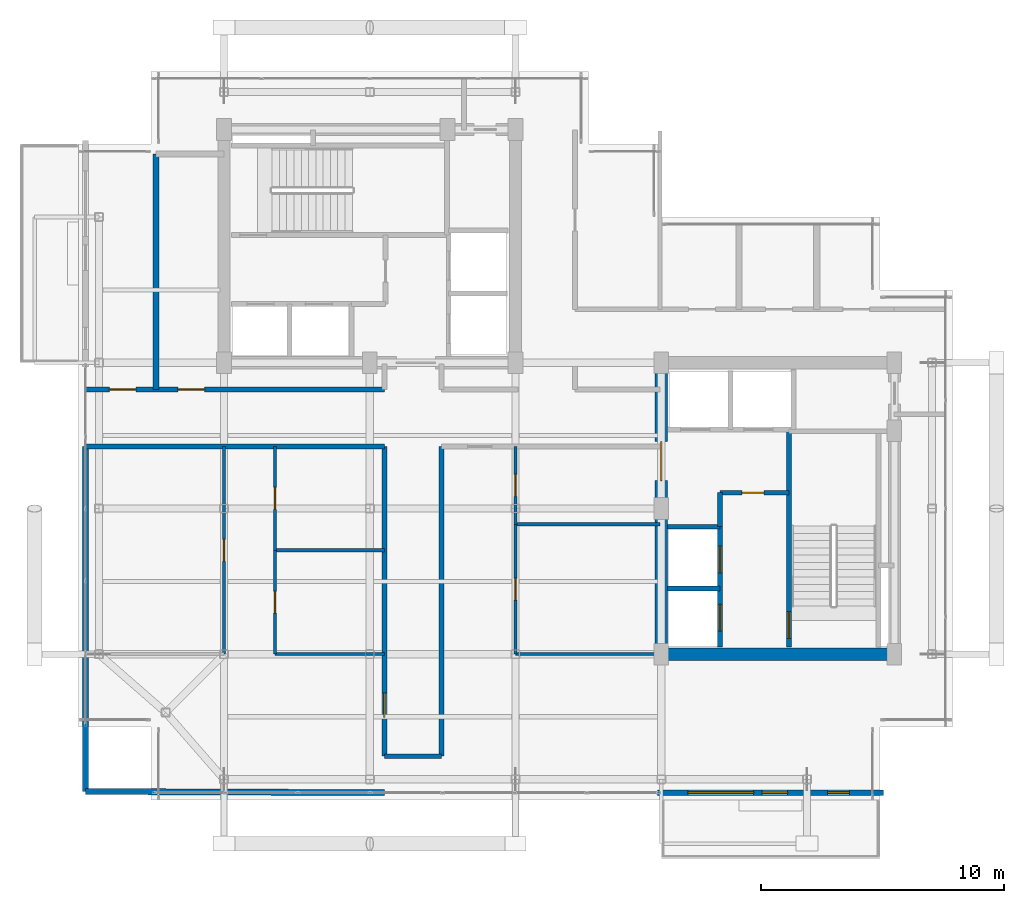
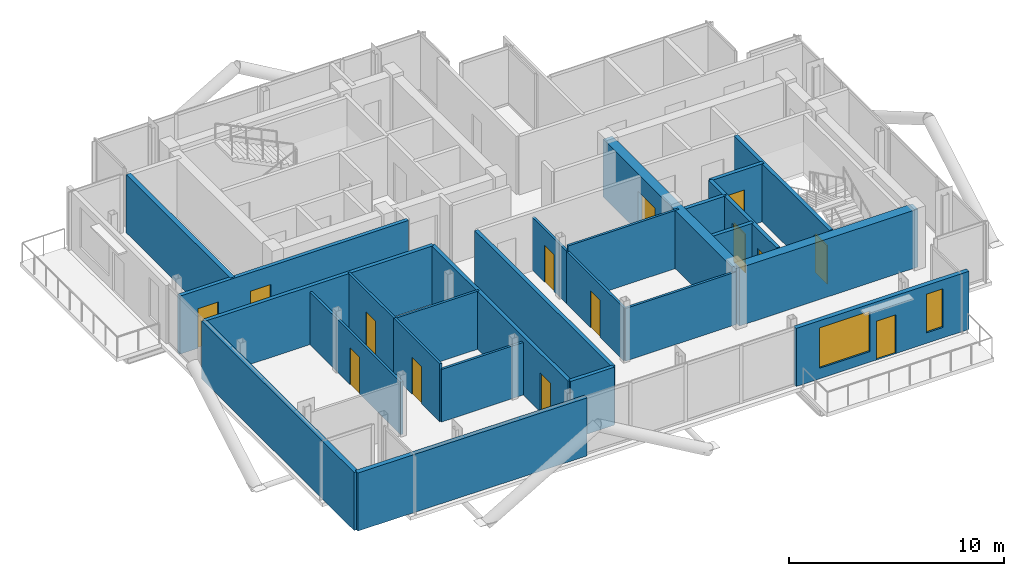
# One storey, part 15 of 19: 26 walls, 14 doors, 2 windows, 16 openings.
"""IFC4 building model written with IfcOpenShell, lengths in metres."""

from ifc_helpers import new_model, si_unit, direction, frame, frame_2d, origin, place, context, subcontext, project, spatial, rectangle, extrude, material, layer, layer_set, type_object, element, fill, save


model = new_model("IFC4")

# Units and contexts
model_context = context("Model", 3, precision=1e-05, world=origin(), true_north=direction((0.0, 1.0)))
body_context = subcontext(model_context, "Body", "Model", "MODEL_VIEW")
ifc_project = project(units=[si_unit("LENGTHUNIT", "METRE"), si_unit("AREAUNIT", "SQUARE_METRE"), si_unit("VOLUMEUNIT", "CUBIC_METRE"), si_unit("PLANEANGLEUNIT", "RADIAN"), si_unit("MASSUNIT", "GRAM", prefix="KILO"), si_unit("THERMODYNAMICTEMPERATUREUNIT", "KELVIN"), si_unit("POWERUNIT", "WATT")], contexts=[model_context])

# Site, building, storey
site_placement = place(None, origin())
site = spatial("IfcSite", under=ifc_project, at=site_placement, CompositionType="ELEMENT")
building_placement = place(site_placement, origin())
building = spatial("IfcBuilding", under=site, at=building_placement, Name="Svarakhadi Broadcast Tower", CompositionType="ELEMENT")
storey_placement = place(building_placement, frame((0.0, 0.0, 243.199951171875)))
storey = spatial("IfcBuildingStorey", under=building, at=storey_placement, Name="L60", CompositionType="ELEMENT", Elevation=243.199951171875)

# Wall, opening, door
ifc_material_1 = material(Name="Double-Stud Acoustic Studio Partition STC-62", Category="gypsum")
ifc_layer_1 = layer(ifc_material_1, 0.199951171875)
ifc_layer_set_1 = layer_set([ifc_layer_1], Name="Double-Stud Acoustic Studio Partition STC-62")
wall_type_1 = type_object("IfcWallType", Name="Wall_Acoust_200", PredefinedType="PARTITIONING", material=ifc_layer_set_1)
wall_1_placement = place(storey_placement, frame((12.60009765625, 1.800048828125, 0.0), z_axis=(0.0, 0.0, 1.0), x_axis=(0.0, 1.0, 0.0)))
wall_1 = element("IfcWall", 1, at=wall_1_placement, inside=storey, type_object=wall_type_1, Name="L60 Upper Tower Concourse Wall", PredefinedType="PARTITIONING", context=body_context, shape_type="SweptSolid", body=[
    extrude(rectangle(XDim=12.75, YDim=0.199951171875, at=frame_2d((6.375, 0.0))), origin(), (0.0, 0.0, 1.0), 3.300048828125),
])
opening_1_placement = place(wall_1_placement, frame((1.60009765625, 0.0, 0.0)))
opening_1 = element("IfcOpeningElement", 2, at=opening_1_placement, cuts=wall_1, Name="Opening D-09", PredefinedType="OPENING", context=body_context, shape_type="SweptSolid", body=[
    extrude(rectangle(XDim=1.0, YDim=2.199951171875, at=frame_2d((0.5, 1.10009765625))), frame((0.0, 0.10986328125, 0.0), z_axis=(0.0, -1.0, 0.0), x_axis=(1.0, 0.0, 0.0)), (0.0, 0.0, 1.0), 0.219970703125),
])
ifc_material_2 = material(Name="Solid-Core Teak Veneer Acoustic Timber Leaf", Category="wood")
door_type_1 = type_object("IfcDoorType", Name="Door_Suite_D09", OperationType="SINGLE_SWING_RIGHT", PredefinedType="DOOR", material=ifc_material_2)
door_1_placement = place(opening_1_placement, origin())
door_1 = element("IfcDoor", 3, at=door_1_placement, inside=storey, type_object=door_type_1, Name="L60 Apartment A Entrance Door", OperationType="SINGLE_SWING_RIGHT", OverallHeight=2.199951171875, OverallWidth=1.0, PredefinedType="DOOR", context=body_context, shape_type="SweptSolid", body=[
    extrude(rectangle(XDim=1.0, YDim=2.199951171875, at=frame_2d((0.5, 1.10009765625))), frame((0.0, 0.02490234375, 0.0), z_axis=(0.0, -1.0, 0.0), x_axis=(1.0, 0.0, 0.0)), (0.0, 0.0, 1.0), 0.050048828125),
])
fill(opening_1, door_1)

# Wall
wall_2_placement = place(storey_placement, frame((12.60009765625, 14.550048828125, 0.0), z_axis=(0.0, 0.0, 1.0), x_axis=(-1.0, 0.0, 0.0)))
element("IfcWall", 4, at=wall_2_placement, inside=storey, type_object=wall_type_1, Name="L60 Upper Tower Concourse Wall", PredefinedType="PARTITIONING", context=body_context, shape_type="SweptSolid", body=[
    extrude(rectangle(XDim=12.300048828125, YDim=0.199951171875, at=frame_2d((6.14990234375, 0.0))), origin(), (0.0, 0.0, 1.0), 3.300048828125),
])

# Wall, openings, doors
wall_3_placement = place(storey_placement, frame((0.300048828125, 16.89990234375, 0.0), z_axis=(0.0, 0.0, 1.0), x_axis=(1.0, 0.0, 0.0)))
wall_3 = element("IfcWall", 5, at=wall_3_placement, inside=storey, type_object=wall_type_1, Name="L60 Upper Tower Concourse Wall", PredefinedType="PARTITIONING", context=body_context, shape_type="SweptSolid", body=[
    extrude(rectangle(XDim=12.300048828125, YDim=0.199951171875, at=frame_2d((6.14990234375, 0.0))), origin(), (0.0, 0.0, 1.0), 3.300048828125),
])
opening_2_placement = place(wall_3_placement, frame((0.97509765625, 0.0, 0.0)))
opening_2 = element("IfcOpeningElement", 6, at=opening_2_placement, cuts=wall_3, Name="Opening D-11", PredefinedType="OPENING", context=body_context, shape_type="SweptSolid", body=[
    extrude(rectangle(XDim=1.10009765625, YDim=2.25, at=frame_2d((0.550048828125, 1.125))), frame((0.0, 0.10986328125, 0.0), z_axis=(0.0, -1.0, 0.0), x_axis=(1.0, 0.0, 0.0)), (0.0, 0.0, 1.0), 0.219970703125),
])
opening_3_placement = place(wall_3_placement, frame((3.800048828125, 0.0, 0.0)))
opening_3 = element("IfcOpeningElement", 7, at=opening_3_placement, cuts=wall_3, Name="Opening D-10", PredefinedType="OPENING", context=body_context, shape_type="SweptSolid", body=[
    extrude(rectangle(XDim=1.10009765625, YDim=2.25, at=frame_2d((0.550048828125, 1.125))), frame((0.0, 0.10986328125, 0.0), z_axis=(0.0, -1.0, 0.0), x_axis=(1.0, 0.0, 0.0)), (0.0, 0.0, 1.0), 0.219970703125),
])
door_type_2 = type_object("IfcDoorType", Name="Door_Acoust_D10", OperationType="SINGLE_SWING_LEFT", PredefinedType="DOOR", material=ifc_material_2)
door_2_placement = place(opening_3_placement, origin())
door_2 = element("IfcDoor", 8, at=door_2_placement, inside=storey, type_object=door_type_2, Name="L60 Residents Study Office Door", OperationType="SINGLE_SWING_LEFT", OverallHeight=2.25, OverallWidth=1.10009765625, PredefinedType="DOOR", context=body_context, shape_type="SweptSolid", body=[
    extrude(rectangle(XDim=1.10009765625, YDim=2.25, at=frame_2d((0.550048828125, 1.125))), frame((0.0, 0.02490234375, 0.0), z_axis=(0.0, -1.0, 0.0), x_axis=(1.0, 0.0, 0.0)), (0.0, 0.0, 1.0), 0.050048828125),
])
fill(opening_3, door_2)
door_type_3 = type_object("IfcDoorType", Name="Door_Acoust_D11", OperationType="SINGLE_SWING_RIGHT", PredefinedType="DOOR", material=ifc_material_2)
door_3_placement = place(opening_2_placement, origin())
door_3 = element("IfcDoor", 9, at=door_3_placement, inside=storey, type_object=door_type_3, Name="L60 Setback Garden Residents Lounge Door", OperationType="SINGLE_SWING_RIGHT", OverallHeight=2.25, OverallWidth=1.10009765625, PredefinedType="DOOR", context=body_context, shape_type="SweptSolid", body=[
    extrude(rectangle(XDim=1.10009765625, YDim=2.25, at=frame_2d((0.550048828125, 1.125))), frame((0.0, 0.02490234375, 0.0), z_axis=(0.0, -1.0, 0.0), x_axis=(1.0, 0.0, 0.0)), (0.0, 0.0, 1.0), 0.050048828125),
])
fill(opening_2, door_3)

# Walls
wall_4_placement = place(storey_placement, frame((14.949951171875, 14.550048828125, 0.0), z_axis=(0.0, 0.0, 1.0), x_axis=(0.0, -1.0, 0.0)))
element("IfcWall", 10, at=wall_4_placement, inside=storey, type_object=wall_type_1, Name="L60 Upper Tower Concourse Wall", PredefinedType="PARTITIONING", context=body_context, shape_type="SweptSolid", body=[
    extrude(rectangle(XDim=12.75, YDim=0.199951171875, at=frame_2d((6.375, 0.0))), origin(), (0.0, 0.0, 1.0), 3.300048828125),
])
wall_5_placement = place(storey_placement, frame((14.949951171875, 1.800048828125, 0.0), z_axis=(0.0, 0.0, 1.0), x_axis=(-1.0, 0.0, 0.0)))
element("IfcWall", 11, at=wall_5_placement, inside=storey, type_object=wall_type_1, Name="L60 Upper Tower Concourse Wall", PredefinedType="PARTITIONING", context=body_context, shape_type="SweptSolid", body=[
    extrude(rectangle(XDim=2.349853515625, YDim=0.199951171875, at=frame_2d((1.1748046875, 0.0))), origin(), (0.0, 0.0, 1.0), 3.300048828125),
])
ifc_layer_2 = layer(ifc_material_1, 0.25)
ifc_layer_set_2 = layer_set([ifc_layer_2], Name="Double-Stud Acoustic Studio Partition STC-62")
wall_type_2 = type_object("IfcWallType", Name="Wall_Acoust_250", PredefinedType="PARTITIONING", material=ifc_layer_set_2)
wall_6_placement = place(storey_placement, frame((0.300048828125, 0.35009765625, 0.0), z_axis=(0.0, 0.0, 1.0), x_axis=(0.999991721746, -0.00406896058, 0.0)))
element("IfcWall", 12, at=wall_6_placement, inside=storey, type_object=wall_type_2, Name="L60 Apartment A Wall", PredefinedType="PARTITIONING", context=body_context, shape_type="SweptSolid", body=[
    extrude(rectangle(XDim=12.300048828125, YDim=0.25, at=frame_2d((6.14990234375, 0.0))), origin(), (0.0, 0.0, 1.0), 3.300048828125),
])
wall_7_placement = place(storey_placement, frame((0.300048828125, 0.35009765625, 0.0), z_axis=(0.0, 0.0, 1.0), x_axis=(0.0, 1.0, 0.0)))
element("IfcWall", 13, at=wall_7_placement, inside=storey, type_object=wall_type_2, Name="L60 Apartment A Wall", PredefinedType="PARTITIONING", context=body_context, shape_type="SweptSolid", body=[
    extrude(rectangle(XDim=14.199951171875, YDim=0.25, at=frame_2d((7.10009765625, 0.0))), origin(), (0.0, 0.0, 1.0), 3.300048828125),
])
wall_8_placement = place(storey_placement, frame((3.199951171875, 16.89990234375, 0.0), z_axis=(0.0, 0.0, 1.0), x_axis=(0.0, 1.0, 0.0)))
element("IfcWall", 14, at=wall_8_placement, inside=storey, type_object=wall_type_2, Name="L60 Setback Garden Residents Lounge Wall", PredefinedType="PARTITIONING", context=body_context, shape_type="SweptSolid", body=[
    extrude(rectangle(XDim=9.7001953125, YDim=0.25, at=frame_2d((4.85009765625, 0.0))), origin(), (0.0, 0.0, 1.0), 3.300048828125),
])

# Wall, openings, door, windows
ifc_material_3 = material(Name="Concrete C40/50 (IS 456 M50)", Category="concrete")
ifc_layer_3 = layer(ifc_material_3, 0.239990234375)
ifc_layer_set_3 = layer_set([ifc_layer_3], Name="Concrete C40/50 (IS 456 M50)")
wall_type_3 = type_object("IfcWallType", Name="Wall_Ext_240", PredefinedType="SOLIDWALL", material=ifc_layer_set_3)
wall_9_placement = place(storey_placement, frame((33.14501953125, 0.300048828125, 0.0), z_axis=(0.0, 0.0, 1.0), x_axis=(-1.0, 0.0, 0.0)))
wall_9 = element("IfcWall", 15, at=wall_9_placement, inside=storey, type_object=wall_type_3, Name="L60 South Tree Balcony Spandrel Wall", PredefinedType="SOLIDWALL", context=body_context, shape_type="SweptSolid", body=[
    extrude(rectangle(XDim=9.2900390625, YDim=0.239990234375, at=frame_2d((4.64501953125, 0.0))), origin(), (0.0, 0.0, 1.0), 3.300048828125),
])
opening_4_placement = place(wall_9_placement, frame((3.945068359375, 0.0, 0.0)))
opening_4 = element("IfcOpeningElement", 16, at=opening_4_placement, cuts=wall_9, Name="Opening ED-06", PredefinedType="OPENING", context=body_context, shape_type="SweptSolid", body=[
    extrude(rectangle(XDim=1.050048828125, YDim=2.199951171875, at=frame_2d((0.52490234375, 1.10009765625))), frame((0.0, 0.1298828125, 0.0), z_axis=(0.0, -1.0, 0.0), x_axis=(1.0, 0.0, 0.0)), (0.0, 0.0, 1.0), 0.260009765625),
])
opening_5_placement = place(wall_9_placement, frame((5.344970703125, 0.0, 0.60009765625)))
opening_5 = element("IfcOpeningElement", 17, at=opening_5_placement, cuts=wall_9, Name="Opening WN-07", PredefinedType="OPENING", context=body_context, shape_type="SweptSolid", body=[
    extrude(rectangle(XDim=2.699951171875, YDim=2.300048828125, at=frame_2d((1.35009765625, 1.14990234375))), frame((0.0, 0.1298828125, 0.0), z_axis=(0.0, -1.0, 0.0), x_axis=(1.0, 0.0, 0.0)), (0.0, 0.0, 1.0), 0.260009765625),
])
opening_6_placement = place(wall_9_placement, frame((1.39990234375, 0.0, 0.60009765625)))
opening_6 = element("IfcOpeningElement", 18, at=opening_6_placement, cuts=wall_9, Name="Opening WN-04", PredefinedType="OPENING", context=body_context, shape_type="SweptSolid", body=[
    extrude(rectangle(XDim=0.89990234375, YDim=2.199951171875, at=frame_2d((0.449951171875, 1.10009765625))), frame((0.0, 0.1298828125, 0.0), z_axis=(0.0, -1.0, 0.0), x_axis=(1.0, 0.0, 0.0)), (0.0, 0.0, 1.0), 0.260009765625),
])
ifc_material_4 = material(Name="Anodised Bronze Aluminium AA 6063-T6", Category="aluminium")
door_type_4 = type_object("IfcDoorType", Name="Door_Ext_ED06", OperationType="SINGLE_SWING_RIGHT", PredefinedType="DOOR", material=ifc_material_4)
door_4_placement = place(opening_4_placement, origin())
door_4 = element("IfcDoor", 19, at=door_4_placement, inside=storey, type_object=door_type_4, Name="L60 South Tree Balcony Door", OperationType="SINGLE_SWING_RIGHT", OverallHeight=2.199951171875, OverallWidth=1.050048828125, PredefinedType="DOOR", context=body_context, shape_type="SweptSolid", body=[
    extrude(rectangle(XDim=1.050048828125, YDim=2.199951171875, at=frame_2d((0.52490234375, 1.10009765625))), frame((0.0, 0.02490234375, 0.0), z_axis=(0.0, -1.0, 0.0), x_axis=(1.0, 0.0, 0.0)), (0.0, 0.0, 1.0), 0.050048828125),
])
fill(opening_4, door_4)
ifc_material_5 = material(Name="Double Low-E Laminated Acoustic Glass IGU 36 mm", Category="glass")
window_type_1 = type_object("IfcWindowType", Name="Win_Resi_WN07", PartitioningType="SINGLE_PANEL", PredefinedType="WINDOW", material=ifc_material_5)
window_1_placement = place(opening_5_placement, origin())
window_1 = element("IfcWindow", 20, at=window_1_placement, inside=storey, type_object=window_type_1, Name="L60 South Tree Balcony Window", OverallHeight=2.300048828125, OverallWidth=2.699951171875, PartitioningType="SINGLE_PANEL", PredefinedType="WINDOW", context=body_context, shape_type="SweptSolid", body=[
    extrude(rectangle(XDim=2.699951171875, YDim=2.300048828125, at=frame_2d((1.35009765625, 1.14990234375))), frame((0.0, 0.030029296875, 0.0), z_axis=(0.0, -1.0, 0.0), x_axis=(1.0, 0.0, 0.0)), (0.0, 0.0, 1.0), 0.06005859375),
])
fill(opening_5, window_1)
window_type_2 = type_object("IfcWindowType", Name="Win_Slot_WN04", PartitioningType="SINGLE_PANEL", PredefinedType="WINDOW", material=ifc_material_5)
window_2_placement = place(opening_6_placement, origin())
window_2 = element("IfcWindow", 21, at=window_2_placement, inside=storey, type_object=window_type_2, Name="L60 South Primary Bedroom Slot Window", OverallHeight=2.199951171875, OverallWidth=0.89990234375, PartitioningType="SINGLE_PANEL", PredefinedType="WINDOW", context=body_context, shape_type="SweptSolid", body=[
    extrude(rectangle(XDim=0.89990234375, YDim=2.199951171875, at=frame_2d((0.449951171875, 1.10009765625))), frame((0.0, 0.030029296875, 0.0), z_axis=(0.0, -1.0, 0.0), x_axis=(1.0, 0.0, 0.0)), (0.0, 0.0, 1.0), 0.06005859375),
])
fill(opening_6, window_2)

# Walls
ifc_material_6 = material(Name="Fire-Rated Moisture-Resistant Gypsum Board Partition", Category="gypsum")
ifc_layer_4 = layer(ifc_material_6, 0.125)
ifc_layer_set_4 = layer_set([ifc_layer_4], Name="Fire-Rated Moisture-Resistant Gypsum Board Partition")
wall_type_4 = type_object("IfcWallType", Name="Wall_Part_125", PredefinedType="PARTITIONING", material=ifc_layer_set_4)
wall_10_placement = place(storey_placement, frame((8.10009765625, 6.0, 0.0), z_axis=(0.0, 0.0, 1.0), x_axis=(1.0, 0.0, 0.0)))
element("IfcWall", 22, at=wall_10_placement, inside=storey, type_object=wall_type_4, Name="L60 Apartment A Kitchen Wall", PredefinedType="PARTITIONING", context=body_context, shape_type="SweptSolid", body=[
    extrude(rectangle(XDim=4.5, YDim=0.125, at=frame_2d((2.25, 0.0))), origin(), (0.0, 0.0, 1.0), 2.991943359375),
])
wall_11_placement = place(storey_placement, frame((8.10009765625, 10.280029296875, 0.0), z_axis=(0.0, 0.0, 1.0), x_axis=(1.0, 0.0, 0.0)))
element("IfcWall", 23, at=wall_11_placement, inside=storey, type_object=wall_type_4, Name="L60 Apartment A Kitchen Wall", PredefinedType="PARTITIONING", context=body_context, shape_type="SweptSolid", body=[
    extrude(rectangle(XDim=4.5, YDim=0.125, at=frame_2d((2.25, 0.0))), origin(), (0.0, 0.0, 1.0), 3.300048828125),
])

# Wall, opening, door
wall_12_placement = place(storey_placement, frame((8.10009765625, 6.0, 0.0), z_axis=(0.0, 0.0, 1.0), x_axis=(0.0, 1.0, 0.0)))
wall_12 = element("IfcWall", 24, at=wall_12_placement, inside=storey, type_object=wall_type_4, Name="L60 Apartment A Kitchen Wall", PredefinedType="PARTITIONING", context=body_context, shape_type="SweptSolid", body=[
    extrude(rectangle(XDim=4.280029296875, YDim=0.125, at=frame_2d((2.14013671875, 0.0))), origin(), (0.0, 0.0, 1.0), 3.300048828125),
])
opening_7_placement = place(wall_12_placement, frame((1.68994140625, 0.0, 0.0)))
opening_7 = element("IfcOpeningElement", 25, at=opening_7_placement, cuts=wall_12, Name="Opening D-15", PredefinedType="OPENING", context=body_context, shape_type="SweptSolid", body=[
    extrude(rectangle(XDim=0.89990234375, YDim=2.10009765625, at=frame_2d((0.449951171875, 1.050048828125))), frame((0.0, 0.072509765625, 0.0), z_axis=(0.0, -1.0, 0.0), x_axis=(1.0, 0.0, 0.0)), (0.0, 0.0, 1.0), 0.14501953125),
])
door_type_5 = type_object("IfcDoorType", Name="Door_Int_D15", OperationType="SINGLE_SWING_RIGHT", PredefinedType="DOOR", material=ifc_material_2)
door_5_placement = place(opening_7_placement, origin())
door_5 = element("IfcDoor", 26, at=door_5_placement, inside=storey, type_object=door_type_5, Name="L60 Apartment A Kitchen Door", OperationType="SINGLE_SWING_RIGHT", OverallHeight=2.10009765625, OverallWidth=0.89990234375, PredefinedType="DOOR", context=body_context, shape_type="SweptSolid", body=[
    extrude(rectangle(XDim=0.89990234375, YDim=2.10009765625, at=frame_2d((0.449951171875, 1.050048828125))), frame((0.0, 0.02490234375, 0.0), z_axis=(0.0, -1.0, 0.0), x_axis=(1.0, 0.0, 0.0)), (0.0, 0.0, 1.0), 0.050048828125),
])
fill(opening_7, door_5)

wall_13_placement = place(storey_placement, frame((8.10009765625, 10.280029296875, 0.0), z_axis=(0.0, 0.0, 1.0), x_axis=(0.0, 1.0, 0.0)))
wall_13 = element("IfcWall", 27, at=wall_13_placement, inside=storey, type_object=wall_type_4, Name="L60 Apartment A Bathroom Wall", PredefinedType="PARTITIONING", context=body_context, shape_type="SweptSolid", body=[
    extrude(rectangle(XDim=4.27001953125, YDim=0.125, at=frame_2d((2.135009765625, 0.0))), origin(), (0.0, 0.0, 1.0), 3.300048828125),
])
opening_8_placement = place(wall_13_placement, frame((1.68505859375, 0.0, 0.0)))
opening_8 = element("IfcOpeningElement", 28, at=opening_8_placement, cuts=wall_13, Name="Opening D-12", PredefinedType="OPENING", context=body_context, shape_type="SweptSolid", body=[
    extrude(rectangle(XDim=0.89990234375, YDim=2.10009765625, at=frame_2d((0.449951171875, 1.050048828125))), frame((0.0, 0.072509765625, 0.0), z_axis=(0.0, -1.0, 0.0), x_axis=(1.0, 0.0, 0.0)), (0.0, 0.0, 1.0), 0.14501953125),
])
door_type_6 = type_object("IfcDoorType", Name="Door_WC_D01", OperationType="SINGLE_SWING_LEFT", PredefinedType="DOOR", material=ifc_material_2)
door_6_placement = place(opening_8_placement, origin())
door_6 = element("IfcDoor", 29, at=door_6_placement, inside=storey, type_object=door_type_6, Name="L60 Apartment A Bathroom Door", OperationType="SINGLE_SWING_LEFT", OverallHeight=2.10009765625, OverallWidth=0.89990234375, PredefinedType="DOOR", context=body_context, shape_type="SweptSolid", body=[
    extrude(rectangle(XDim=0.89990234375, YDim=2.10009765625, at=frame_2d((0.449951171875, 1.050048828125))), frame((0.0, 0.02490234375, 0.0), z_axis=(0.0, -1.0, 0.0), x_axis=(1.0, 0.0, 0.0)), (0.0, 0.0, 1.0), 0.050048828125),
])
fill(opening_8, door_6)

wall_14_placement = place(storey_placement, frame((6.0, 6.0, 0.0), z_axis=(0.0, 0.0, 1.0), x_axis=(0.0, 1.0, 0.0)))
wall_14 = element("IfcWall", 30, at=wall_14_placement, inside=storey, type_object=wall_type_4, Name="L60 Apartment A Primary Bedroom Wall", PredefinedType="PARTITIONING", context=body_context, shape_type="SweptSolid", body=[
    extrude(rectangle(XDim=8.550048828125, YDim=0.125, at=frame_2d((4.27490234375, 0.0))), origin(), (0.0, 0.0, 1.0), 2.991943359375),
])
opening_9_placement = place(wall_14_placement, frame((3.824951171875, 0.0, 0.0)))
opening_9 = element("IfcOpeningElement", 31, at=opening_9_placement, cuts=wall_14, Name="Opening D-14", PredefinedType="OPENING", context=body_context, shape_type="SweptSolid", body=[
    extrude(rectangle(XDim=0.89990234375, YDim=2.10009765625, at=frame_2d((0.449951171875, 1.050048828125))), frame((0.0, 0.072509765625, 0.0), z_axis=(0.0, -1.0, 0.0), x_axis=(1.0, 0.0, 0.0)), (0.0, 0.0, 1.0), 0.14501953125),
])
door_type_7 = type_object("IfcDoorType", Name="Door_Int_D14", OperationType="SINGLE_SWING_LEFT", PredefinedType="DOOR", material=ifc_material_2)
door_7_placement = place(opening_9_placement, origin())
door_7 = element("IfcDoor", 32, at=door_7_placement, inside=storey, type_object=door_type_7, Name="L60 Apartment A Bedroom Door", OperationType="SINGLE_SWING_LEFT", OverallHeight=2.10009765625, OverallWidth=0.89990234375, PredefinedType="DOOR", context=body_context, shape_type="SweptSolid", body=[
    extrude(rectangle(XDim=0.89990234375, YDim=2.10009765625, at=frame_2d((0.449951171875, 1.050048828125))), frame((0.0, 0.02490234375, 0.0), z_axis=(0.0, -1.0, 0.0), x_axis=(1.0, 0.0, 0.0)), (0.0, 0.0, 1.0), 0.050048828125),
])
fill(opening_9, door_7)

# Walls
wall_15_placement = place(storey_placement, frame((18.0, 6.0, 0.0), z_axis=(0.0, 0.0, 1.0), x_axis=(1.0, 0.0, 0.0)))
element("IfcWall", 33, at=wall_15_placement, inside=storey, type_object=wall_type_4, Name="L60 Studio B Kitchen Wall", PredefinedType="PARTITIONING", context=body_context, shape_type="SweptSolid", body=[
    extrude(rectangle(XDim=5.949951171875, YDim=0.125, at=frame_2d((2.97509765625, 0.0))), origin(), (0.0, 0.0, 1.0), 2.991943359375),
])
wall_16_placement = place(storey_placement, frame((18.0, 11.35009765625, 0.0), z_axis=(0.0, 0.0, 1.0), x_axis=(1.0, 0.0, 0.0)))
element("IfcWall", 34, at=wall_16_placement, inside=storey, type_object=wall_type_4, Name="L60 Studio B Kitchen Wall", PredefinedType="PARTITIONING", context=body_context, shape_type="SweptSolid", body=[
    extrude(rectangle(XDim=5.949951171875, YDim=0.125, at=frame_2d((2.97509765625, 0.0))), origin(), (0.0, 0.0, 1.0), 3.300048828125),
])

# Wall, opening, door
wall_17_placement = place(storey_placement, frame((18.0, 6.0, 0.0), z_axis=(0.0, 0.0, 1.0), x_axis=(0.0, 1.0, 0.0)))
wall_17 = element("IfcWall", 35, at=wall_17_placement, inside=storey, type_object=wall_type_4, Name="L60 Studio B Kitchen Wall", PredefinedType="PARTITIONING", context=body_context, shape_type="SweptSolid", body=[
    extrude(rectangle(XDim=5.35009765625, YDim=0.125, at=frame_2d((2.675048828125, 0.0))), origin(), (0.0, 0.0, 1.0), 2.991943359375),
])
opening_10_placement = place(wall_17_placement, frame((2.22509765625, 0.0, 0.0)))
opening_10 = element("IfcOpeningElement", 36, at=opening_10_placement, cuts=wall_17, Name="Opening D-14", PredefinedType="OPENING", context=body_context, shape_type="SweptSolid", body=[
    extrude(rectangle(XDim=0.89990234375, YDim=2.10009765625, at=frame_2d((0.449951171875, 1.050048828125))), frame((0.0, 0.072509765625, 0.0), z_axis=(0.0, -1.0, 0.0), x_axis=(1.0, 0.0, 0.0)), (0.0, 0.0, 1.0), 0.14501953125),
])
door_8_placement = place(opening_10_placement, origin())
door_8 = element("IfcDoor", 37, at=door_8_placement, inside=storey, type_object=door_type_7, Name="L60 Studio B Kitchen Door", OperationType="SINGLE_SWING_LEFT", OverallHeight=2.10009765625, OverallWidth=0.89990234375, PredefinedType="DOOR", context=body_context, shape_type="SweptSolid", body=[
    extrude(rectangle(XDim=0.89990234375, YDim=2.10009765625, at=frame_2d((0.449951171875, 1.050048828125))), frame((0.0, 0.02490234375, 0.0), z_axis=(0.0, -1.0, 0.0), x_axis=(1.0, 0.0, 0.0)), (0.0, 0.0, 1.0), 0.050048828125),
])
fill(opening_10, door_8)

wall_18_placement = place(storey_placement, frame((18.0, 11.35009765625, 0.0), z_axis=(0.0, 0.0, 1.0), x_axis=(0.0, 1.0, 0.0)))
wall_18 = element("IfcWall", 38, at=wall_18_placement, inside=storey, type_object=wall_type_4, Name="L60 Studio B Bathroom Wall", PredefinedType="PARTITIONING", context=body_context, shape_type="SweptSolid", body=[
    extrude(rectangle(XDim=3.199951171875, YDim=0.125, at=frame_2d((1.60009765625, 0.0))), origin(), (0.0, 0.0, 1.0), 2.991943359375),
])
opening_11_placement = place(wall_18_placement, frame((1.14990234375, 0.0, 0.0)))
opening_11 = element("IfcOpeningElement", 39, at=opening_11_placement, cuts=wall_18, Name="Opening D-13", PredefinedType="OPENING", context=body_context, shape_type="SweptSolid", body=[
    extrude(rectangle(XDim=0.89990234375, YDim=2.10009765625, at=frame_2d((0.449951171875, 1.050048828125))), frame((0.0, 0.072509765625, 0.0), z_axis=(0.0, -1.0, 0.0), x_axis=(1.0, 0.0, 0.0)), (0.0, 0.0, 1.0), 0.14501953125),
])
door_type_8 = type_object("IfcDoorType", Name="Door_Closet_D13", OperationType="SINGLE_SWING_RIGHT", PredefinedType="DOOR", material=ifc_material_2)
door_9_placement = place(opening_11_placement, origin())
door_9 = element("IfcDoor", 40, at=door_9_placement, inside=storey, type_object=door_type_8, Name="L60 Studio B Bathroom Door", OperationType="SINGLE_SWING_RIGHT", OverallHeight=2.10009765625, OverallWidth=0.89990234375, PredefinedType="DOOR", context=body_context, shape_type="SweptSolid", body=[
    extrude(rectangle(XDim=0.89990234375, YDim=2.10009765625, at=frame_2d((0.449951171875, 1.050048828125))), frame((0.0, 0.02490234375, 0.0), z_axis=(0.0, -1.0, 0.0), x_axis=(1.0, 0.0, 0.0)), (0.0, 0.0, 1.0), 0.050048828125),
])
fill(opening_11, door_9)

ifc_material_7 = material(Name="Concrete C50/60 (IS 456 M60)", Category="concrete")
ifc_layer_5 = layer(ifc_material_7, 0.199951171875)
ifc_layer_set_5 = layer_set([ifc_layer_5], Name="Concrete C50/60 (IS 456 M60)")
wall_type_5 = type_object("IfcWallType", Name="Wall_Shear_200", PredefinedType="SHEAR", material=ifc_layer_set_5)
wall_19_placement = place(storey_placement, frame((29.260009765625, 6.300048828125, 0.0), z_axis=(0.0, 0.0, 1.0), x_axis=(0.0, 1.0, 0.0)))
wall_19 = element("IfcWall", 41, at=wall_19_placement, inside=storey, type_object=wall_type_5, Name="L60 Stair ST-02 West RC Shaft Wall", PredefinedType="SHEAR", context=body_context, shape_type="SweptSolid", body=[
    extrude(rectangle(XDim=8.8798828125, YDim=0.199951171875, at=frame_2d((4.43994140625, 0.0))), origin(), (0.0, 0.0, 1.0), 3.300048828125),
])
opening_12_placement = place(wall_19_placement, frame((0.35009765625, 0.0, 0.0)))
opening_12 = element("IfcOpeningElement", 42, at=opening_12_placement, cuts=wall_19, Name="Opening D-02", PredefinedType="OPENING", context=body_context, shape_type="SweptSolid", body=[
    extrude(rectangle(XDim=1.10009765625, YDim=2.199951171875, at=frame_2d((0.550048828125, 1.10009765625))), frame((0.0, 0.10986328125, 0.0), z_axis=(0.0, -1.0, 0.0), x_axis=(1.0, 0.0, 0.0)), (0.0, 0.0, 1.0), 0.219970703125),
])
ifc_material_8 = material(Name="Galvanised Powder-Coated Fire-Rated Steel Leaf", Category="steel")
door_type_9 = type_object("IfcDoorType", Name="Door_Stair_D02", OperationType="SINGLE_SWING_RIGHT", PredefinedType="DOOR", material=ifc_material_8)
door_10_placement = place(opening_12_placement, origin())
door_10 = element("IfcDoor", 43, at=door_10_placement, inside=storey, type_object=door_type_9, Name="L60 Protected Exit Stair ST-02 Fire Door", OperationType="SINGLE_SWING_RIGHT", OverallHeight=2.199951171875, OverallWidth=1.10009765625, PredefinedType="DOOR", context=body_context, shape_type="SweptSolid", body=[
    extrude(rectangle(XDim=1.10009765625, YDim=2.199951171875, at=frame_2d((0.550048828125, 1.10009765625))), frame((0.0, 0.02490234375, 0.0), z_axis=(0.0, -1.0, 0.0), x_axis=(1.0, 0.0, 0.0)), (0.0, 0.0, 1.0), 0.050048828125),
])
fill(opening_12, door_10)

# Wall, openings, doors
wall_20_placement = place(storey_placement, frame((26.419921875, 6.300048828125, 0.0), z_axis=(0.0, 0.0, 1.0), x_axis=(0.0, 1.0, 0.0)))
wall_20 = element("IfcWall", 44, at=wall_20_placement, inside=storey, type_object=wall_type_5, Name="L60 Firefighting Lift LF-03/04 Shaft Wall", PredefinedType="SHEAR", context=body_context, shape_type="SweptSolid", body=[
    extrude(rectangle(XDim=4.949951171875, YDim=0.199951171875, at=frame_2d((2.47509765625, 0.0))), origin(), (0.0, 0.0, 1.0), 3.300048828125),
])
opening_13_placement = place(wall_20_placement, frame((0.64990234375, 0.0, 0.0)))
opening_13 = element("IfcOpeningElement", 45, at=opening_13_placement, cuts=wall_20, Name="Opening LD-01", PredefinedType="OPENING", context=body_context, shape_type="SweptSolid", body=[
    extrude(rectangle(XDim=1.10009765625, YDim=2.199951171875, at=frame_2d((0.550048828125, 1.10009765625))), frame((0.0, 0.10986328125, 0.0), z_axis=(0.0, -1.0, 0.0), x_axis=(1.0, 0.0, 0.0)), (0.0, 0.0, 1.0), 0.219970703125),
])
opening_14_placement = place(wall_20_placement, frame((3.050048828125, 0.0, 0.0)))
opening_14 = element("IfcOpeningElement", 46, at=opening_14_placement, cuts=wall_20, Name="Opening LD-01", PredefinedType="OPENING", context=body_context, shape_type="SweptSolid", body=[
    extrude(rectangle(XDim=1.10009765625, YDim=2.199951171875, at=frame_2d((0.550048828125, 1.10009765625))), frame((0.0, 0.10986328125, 0.0), z_axis=(0.0, -1.0, 0.0), x_axis=(1.0, 0.0, 0.0)), (0.0, 0.0, 1.0), 0.219970703125),
])
door_type_10 = type_object("IfcDoorType", Name="Door_Lift_LD01", OperationType="SLIDING_TO_LEFT", PredefinedType="DOOR", material=ifc_material_8)
door_11_placement = place(opening_13_placement, origin())
door_11 = element("IfcDoor", 47, at=door_11_placement, inside=storey, type_object=door_type_10, Name="L60 Firefighting Lift LF-03 Landing Door", OperationType="SLIDING_TO_LEFT", OverallHeight=2.199951171875, OverallWidth=1.10009765625, PredefinedType="DOOR", context=body_context, shape_type="SweptSolid", body=[
    extrude(rectangle(XDim=1.10009765625, YDim=2.199951171875, at=frame_2d((0.550048828125, 1.10009765625))), frame((0.0, 0.02490234375, 0.0), z_axis=(0.0, -1.0, 0.0), x_axis=(1.0, 0.0, 0.0)), (0.0, 0.0, 1.0), 0.050048828125),
])
fill(opening_13, door_11)
door_12_placement = place(opening_14_placement, origin())
door_12 = element("IfcDoor", 48, at=door_12_placement, inside=storey, type_object=door_type_10, Name="L60 Firefighting Lift LF-04 Landing Door", OperationType="SLIDING_TO_LEFT", OverallHeight=2.199951171875, OverallWidth=1.10009765625, PredefinedType="DOOR", context=body_context, shape_type="SweptSolid", body=[
    extrude(rectangle(XDim=1.10009765625, YDim=2.199951171875, at=frame_2d((0.550048828125, 1.10009765625))), frame((0.0, 0.02490234375, 0.0), z_axis=(0.0, -1.0, 0.0), x_axis=(1.0, 0.0, 0.0)), (0.0, 0.0, 1.0), 0.050048828125),
])
fill(opening_14, door_12)

# Walls
for number, where, z_axis, x_axis, name in (
    (49, (24.25, 8.699951171875, 0.0), (0.0, 0.0, 1.0), (1.0, 0.0, 0.0), "L60 Firefighting Lift LF-03/04 Divider Wall"),
    (50, (24.25, 11.25, 0.0), (0.0, 0.0, 1.0), (1.0, 0.0, 0.0), "L60 Firefighting Lift LF-04 North Wall"),
):
    element("IfcWall", number, at=place(storey_placement, frame(where, z_axis=z_axis, x_axis=x_axis)), inside=storey, type_object=wall_type_5, Name=name, PredefinedType="SHEAR", context=body_context, shape_type="SweptSolid", body=[
        extrude(rectangle(XDim=2.169921875, YDim=0.199951171875, at=frame_2d((1.0849609375, 0.0))), origin(), (0.0, 0.0, 1.0), 3.300048828125),
    ])
wall_21_placement = place(storey_placement, frame((26.419921875, 11.25, 0.0), z_axis=(0.0, 0.0, 1.0), x_axis=(0.0, 1.0, 0.0)))
element("IfcWall", 51, at=wall_21_placement, inside=storey, type_object=wall_type_5, Name="L60 East Firefighting Lobby West Wall", PredefinedType="SHEAR", context=body_context, shape_type="SweptSolid", body=[
    extrude(rectangle(XDim=1.39990234375, YDim=0.199951171875, at=frame_2d((0.699951171875, 0.0))), origin(), (0.0, 0.0, 1.0), 3.300048828125),
])

# Wall, opening, door
wall_22_placement = place(storey_placement, frame((26.419921875, 12.64990234375, 0.0), z_axis=(0.0, 0.0, 1.0), x_axis=(1.0, 0.0, 0.0)))
wall_22 = element("IfcWall", 52, at=wall_22_placement, inside=storey, type_object=wall_type_5, Name="L60 East Firefighting Lobby North Wall", PredefinedType="SHEAR", context=body_context, shape_type="SweptSolid", body=[
    extrude(rectangle(XDim=2.840087890625, YDim=0.199951171875, at=frame_2d((1.419921875, 0.0))), origin(), (0.0, 0.0, 1.0), 3.300048828125),
])
opening_15_placement = place(wall_22_placement, frame((0.89990234375, 0.0, 0.0)))
opening_15 = element("IfcOpeningElement", 53, at=opening_15_placement, cuts=wall_22, Name="Opening D-03", PredefinedType="OPENING", context=body_context, shape_type="SweptSolid", body=[
    extrude(rectangle(XDim=0.89990234375, YDim=2.14990234375, at=frame_2d((0.449951171875, 1.074951171875))), frame((0.0, 0.10986328125, 0.0), z_axis=(0.0, -1.0, 0.0), x_axis=(1.0, 0.0, 0.0)), (0.0, 0.0, 1.0), 0.219970703125),
])
door_type_11 = type_object("IfcDoorType", Name="Door_Fire_D03", OperationType="SINGLE_SWING_LEFT", PredefinedType="DOOR", material=ifc_material_8)
door_13_placement = place(opening_15_placement, origin())
door_13 = element("IfcDoor", 54, at=door_13_placement, inside=storey, type_object=door_type_11, Name="L60 East Firefighting Lobby Fire Door", OperationType="SINGLE_SWING_LEFT", OverallHeight=2.14990234375, OverallWidth=0.89990234375, PredefinedType="DOOR", context=body_context, shape_type="SweptSolid", body=[
    extrude(rectangle(XDim=0.89990234375, YDim=2.14990234375, at=frame_2d((0.449951171875, 1.074951171875))), frame((0.0, 0.02490234375, 0.0), z_axis=(0.0, -1.0, 0.0), x_axis=(1.0, 0.0, 0.0)), (0.0, 0.0, 1.0), 0.050048828125),
])
fill(opening_15, door_13)

# Wall
ifc_layer_6 = layer(ifc_material_7, 0.5)
ifc_layer_set_6 = layer_set([ifc_layer_6], Name="Concrete C50/60 (IS 456 M60)")
wall_type_6 = type_object("IfcWallType", Name="Wall_Shear_500", PredefinedType="SHEAR", material=ifc_layer_set_6)
wall_23_placement = place(storey_placement, frame((24.0, 6.0, 0.0), z_axis=(0.0, 0.0, 1.0), x_axis=(1.0, 0.0, 0.0)))
element("IfcWall", 55, at=wall_23_placement, inside=storey, type_object=wall_type_6, Name="L60 East Core South Shear Wall", PredefinedType="SHEAR", context=body_context, shape_type="SweptSolid", body=[
    extrude(rectangle(XDim=9.60009765625, YDim=0.5, at=frame_2d((4.800048828125, 0.0))), origin(), (0.0, 0.0, 1.0), 3.300048828125),
])

# Wall, opening, door
wall_24_placement = place(storey_placement, frame((24.0, 6.0, 0.0), z_axis=(0.0, 0.0, 1.0), x_axis=(0.0, 1.0, 0.0)))
wall_24 = element("IfcWall", 56, at=wall_24_placement, inside=storey, type_object=wall_type_6, Name="L60 East Core West Shear Wall", PredefinedType="SHEAR", context=body_context, shape_type="SweptSolid", body=[
    extrude(rectangle(XDim=12.0, YDim=0.5, at=frame_2d((6.0, 0.0))), origin(), (0.0, 0.0, 1.0), 3.300048828125),
])
opening_16_placement = place(wall_24_placement, frame((7.14990234375, 0.0, 0.0)))
opening_16 = element("IfcOpeningElement", 57, at=opening_16_placement, cuts=wall_24, Name="Opening D-05", PredefinedType="OPENING", context=body_context, shape_type="SweptSolid", body=[
    extrude(rectangle(XDim=1.60009765625, YDim=2.300048828125, at=frame_2d((0.800048828125, 1.14990234375))), frame((0.0, 0.260009765625, 0.0), z_axis=(0.0, -1.0, 0.0), x_axis=(1.0, 0.0, 0.0)), (0.0, 0.0, 1.0), 0.52001953125),
])
door_type_12 = type_object("IfcDoorType", Name="Door_Lobby_D05", OperationType="DOUBLE_DOOR_SLIDING", PredefinedType="DOOR", material=ifc_material_4)
door_14_placement = place(opening_16_placement, origin())
door_14 = element("IfcDoor", 58, at=door_14_placement, inside=storey, type_object=door_type_12, Name="L60 East Core Passenger Lift Lobby Entrance Door", OperationType="DOUBLE_DOOR_SLIDING", OverallHeight=2.300048828125, OverallWidth=1.60009765625, PredefinedType="DOOR", context=body_context, shape_type="SweptSolid", body=[
    extrude(rectangle(XDim=1.60009765625, YDim=2.300048828125, at=frame_2d((0.800048828125, 1.14990234375))), frame((0.0, 0.02490234375, 0.0), z_axis=(0.0, -1.0, 0.0), x_axis=(1.0, 0.0, 0.0)), (0.0, 0.0, 1.0), 0.050048828125),
])
fill(opening_16, door_14)

save(model, "model.ifc")
